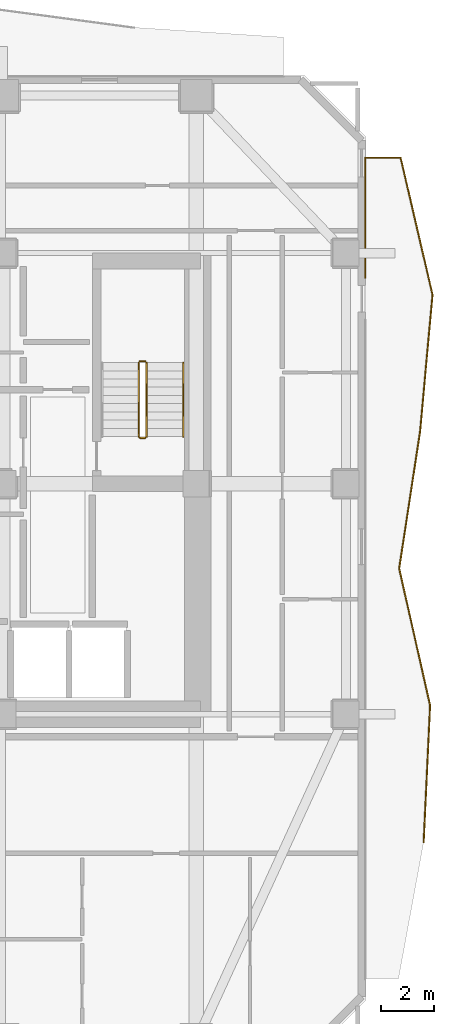
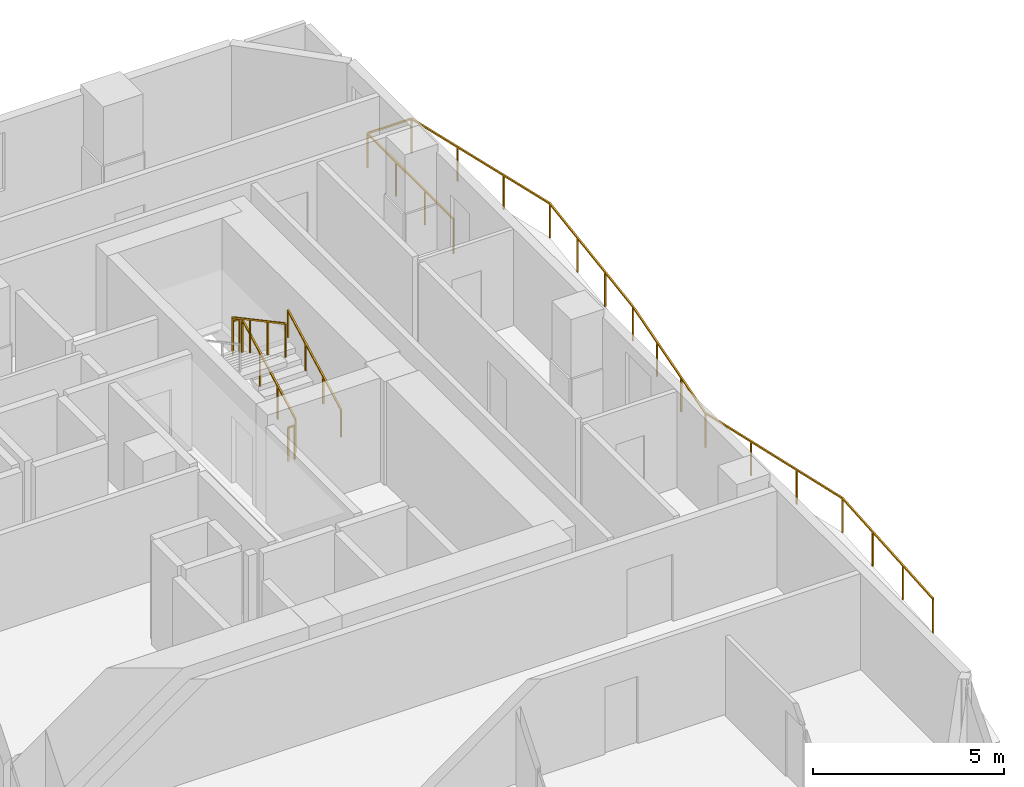
# One storey, part 10 of 11: 6 railings.
"""IFC4 building model written with IfcOpenShell, lengths in metres."""

from ifc_helpers import new_model, si_unit, direction, frame, origin, origin_2d, place, context, subcontext, project, spatial, rectangle, extrude, material, type_object, element, save


model = new_model("IFC4")

# Units and contexts
model_context = context("Model", 3, precision=1e-05, world=origin(), true_north=direction((0.0, 1.0)))
body_context = subcontext(model_context, "Body", "Model", "MODEL_VIEW")
ifc_project = project(units=[si_unit("LENGTHUNIT", "METRE"), si_unit("AREAUNIT", "SQUARE_METRE"), si_unit("VOLUMEUNIT", "CUBIC_METRE"), si_unit("PLANEANGLEUNIT", "RADIAN"), si_unit("MASSUNIT", "GRAM", prefix="KILO")], contexts=[model_context])

# Site, building, storey
site_placement = place(None, origin())
site = spatial("IfcSite", under=ifc_project, at=site_placement, CompositionType="ELEMENT")
building_placement = place(site_placement, origin())
building = spatial("IfcBuilding", under=site, at=building_placement, Name="Solanera Arch Residences", CompositionType="ELEMENT")
storey_placement = place(building_placement, frame((0.0, 0.0, 112.719970703125)))
storey = spatial("IfcBuildingStorey", under=building, at=storey_placement, Name="L32", CompositionType="ELEMENT", Elevation=112.719970703125)

# Railings
ifc_material_1 = material(Name="Steel S355 (ASTM A992 / A572 Grade 50)", Category="steel")
railing_type_1 = type_object("IfcRailingType", Name="Balustrade Railing BL-1100", PredefinedType="BALUSTRADE", material=ifc_material_1)
railing_1_placement = place(storey_placement, frame((45.0859375, 17.1669921875, 0.0)))
element("IfcRailing", 1, at=railing_1_placement, inside=storey, type_object=railing_type_1, Name="L32 E Balcony Balustrade 1", PredefinedType="BALUSTRADE", context=body_context, shape_type="SweptSolid", body=[
    extrude(rectangle(XDim=0.048095703125, YDim=0.048095703125, at=origin_2d()), frame((0.0, 0.0, 1.09619140625), z_axis=(0.047017886174, 0.998894047625, 0.0), x_axis=(-0.998894047625, 0.047017886174, 0.0)), (0.0, 0.0, 1.0), 5.171630859375),
    extrude(rectangle(XDim=0.048095703125, YDim=0.048095703125, at=origin_2d()), frame((0.2431640625, 5.166015625, 1.09619140625), z_axis=(-0.220306138957, 0.975430779265, 0.0), x_axis=(-0.975430779265, -0.220306138957, 0.0)), (0.0, 0.0, 1.0), 5.297119140625),
    extrude(rectangle(XDim=0.048095703125, YDim=0.048095703125, at=origin_2d()), frame((-0.923828125, 10.3330078125, 1.09619140625), z_axis=(0.150916360565, 0.988546535128, 0.0), x_axis=(-0.988546535128, 0.150916360565, 0.0)), (0.0, 0.0, 1.0), 5.226806640625),
    extrude(rectangle(XDim=0.048095703125, YDim=0.048095703125, at=origin_2d()), frame((-0.135009765625, 15.5, 1.09619140625), z_axis=(0.090412680839, 0.995904386547, 0.0), x_axis=(-0.995904386547, 0.090412680839, 0.0)), (0.0, 0.0, 1.0), 5.187255859375),
    extrude(rectangle(XDim=0.048095703125, YDim=0.048095703125, at=origin_2d()), frame((0.333984375, 20.666015625, 1.09619140625), z_axis=(-0.226912475326, 0.973915154693, 0.0), x_axis=(-0.973915154693, -0.226912475326, 0.0)), (0.0, 0.0, 1.0), 5.305419921875),
    extrude(rectangle(XDim=0.048095703125, YDim=0.048095703125, at=origin_2d()), frame((-0.869873046875, 25.8330078125, 1.09619140625), z_axis=(-1.0, 0.0, 0.0), x_axis=(0.0, -1.0, 0.0)), (0.0, 0.0, 1.0), 1.336181640625),
    extrude(rectangle(XDim=0.048095703125, YDim=0.048095703125, at=origin_2d()), frame((-2.2060546875, 25.8330078125, 1.09619140625), z_axis=(0.0, -1.0, 0.0), x_axis=(1.0, 0.0, 0.0)), (0.0, 0.0, 1.0), 4.52197265625),
    extrude(rectangle(XDim=0.0419921875, YDim=0.0419921875, at=origin_2d()), origin(), (0.0, 0.0, 1.0), 1.072021484375),
    extrude(rectangle(XDim=0.0419921875, YDim=0.0419921875, at=origin_2d()), frame((0.0810546875, 1.721923828125, 0.0)), (0.0, 0.0, 1.0), 1.072021484375),
    extrude(rectangle(XDim=0.0419921875, YDim=0.0419921875, at=origin_2d()), frame((0.162109375, 3.444091796875, 0.0)), (0.0, 0.0, 1.0), 1.072021484375),
    extrude(rectangle(XDim=0.0419921875, YDim=0.0419921875, at=origin_2d()), frame((0.2431640625, 5.166015625, 0.0)), (0.0, 0.0, 1.0), 1.072021484375),
    extrude(rectangle(XDim=0.0419921875, YDim=0.0419921875, at=origin_2d()), frame((-0.145751953125, 6.888427734375, 0.0)), (0.0, 0.0, 1.0), 1.072021484375),
    extrude(rectangle(XDim=0.0419921875, YDim=0.0419921875, at=origin_2d()), frame((-0.534912109375, 8.610595703125, 0.0)), (0.0, 0.0, 1.0), 1.072021484375),
    extrude(rectangle(XDim=0.0419921875, YDim=0.0419921875, at=origin_2d()), frame((-0.923828125, 10.3330078125, 0.0)), (0.0, 0.0, 1.0), 1.072021484375),
    extrude(rectangle(XDim=0.0419921875, YDim=0.0419921875, at=origin_2d()), frame((-0.660888671875, 12.055419921875, 0.0)), (0.0, 0.0, 1.0), 1.072021484375),
    extrude(rectangle(XDim=0.0419921875, YDim=0.0419921875, at=origin_2d()), frame((-0.39794921875, 13.777587890625, 0.0)), (0.0, 0.0, 1.0), 1.072021484375),
    extrude(rectangle(XDim=0.0419921875, YDim=0.0419921875, at=origin_2d()), frame((-0.135009765625, 15.5, 0.0)), (0.0, 0.0, 1.0), 1.072021484375),
    extrude(rectangle(XDim=0.0419921875, YDim=0.0419921875, at=origin_2d()), frame((0.021240234375, 17.221923828125, 0.0)), (0.0, 0.0, 1.0), 1.072021484375),
    extrude(rectangle(XDim=0.0419921875, YDim=0.0419921875, at=origin_2d()), frame((0.177734375, 18.944091796875, 0.0)), (0.0, 0.0, 1.0), 1.072021484375),
    extrude(rectangle(XDim=0.0419921875, YDim=0.0419921875, at=origin_2d()), frame((0.333984375, 20.666015625, 0.0)), (0.0, 0.0, 1.0), 1.072021484375),
    extrude(rectangle(XDim=0.0419921875, YDim=0.0419921875, at=origin_2d()), frame((-0.0673828125, 22.388427734375, 0.0)), (0.0, 0.0, 1.0), 1.072021484375),
    extrude(rectangle(XDim=0.0419921875, YDim=0.0419921875, at=origin_2d()), frame((-0.468505859375, 24.110595703125, 0.0)), (0.0, 0.0, 1.0), 1.072021484375),
    extrude(rectangle(XDim=0.0419921875, YDim=0.0419921875, at=origin_2d()), frame((-0.869873046875, 25.8330078125, 0.0)), (0.0, 0.0, 1.0), 1.072021484375),
    extrude(rectangle(XDim=0.0419921875, YDim=0.0419921875, at=origin_2d()), frame((-2.2060546875, 25.8330078125, 0.0)), (0.0, 0.0, 1.0), 1.072021484375),
    extrude(rectangle(XDim=0.0419921875, YDim=0.0419921875, at=origin_2d()), frame((-2.2060546875, 24.32568359375, 0.0)), (0.0, 0.0, 1.0), 1.072021484375),
    extrude(rectangle(XDim=0.0419921875, YDim=0.0419921875, at=origin_2d()), frame((-2.2060546875, 22.818359375, 0.0)), (0.0, 0.0, 1.0), 1.072021484375),
    extrude(rectangle(XDim=0.0419921875, YDim=0.0419921875, at=origin_2d()), frame((-2.2060546875, 21.31103515625, 0.0)), (0.0, 0.0, 1.0), 1.072021484375),
])
ifc_material_2 = material(Name="Steel S355 (ASTM A992 / A572 Grade 50)", Category="steel")
railing_type_2 = type_object("IfcRailingType", Name="Stair Guardrail GR-1100", PredefinedType="GUARDRAIL", material=ifc_material_2)
railing_2_placement = place(storey_placement, frame((34.6298828125, 32.47998046875, 0.151123046875)))
element("IfcRailing", 2, at=railing_2_placement, inside=storey, type_object=railing_type_2, Name="L32 ST-T2 stair guard 1", PredefinedType="GUARDRAIL", context=body_context, shape_type="SweptSolid", body=[
    extrude(rectangle(XDim=0.048095703125, YDim=0.048095703125, at=origin_2d()), frame((0.0, 0.0, 1.076171875), z_axis=(0.0, 0.881580869306, 0.472033018838), x_axis=(-1.0, 0.0, 0.0)), (0.0, 0.0, 1.0), 3.164794921875),
    extrude(rectangle(XDim=0.0419921875, YDim=0.0419921875, at=origin_2d()), origin(), (0.0, 0.0, 1.0), 1.052001953125),
    extrude(rectangle(XDim=0.0419921875, YDim=0.0419921875, at=origin_2d()), frame((0.0, 0.929931640625, 0.498046875)), (0.0, 0.0, 1.0), 1.052001953125),
    extrude(rectangle(XDim=0.0419921875, YDim=0.0419921875, at=origin_2d()), frame((0.0, 1.860107421875, 0.995849609375)), (0.0, 0.0, 1.0), 1.052001953125),
    extrude(rectangle(XDim=0.0419921875, YDim=0.0419921875, at=origin_2d()), frame((0.0, 2.7900390625, 1.493896484375)), (0.0, 0.0, 1.0), 1.052001953125),
])
railing_3_placement = place(storey_placement, frame((34.580078125, 35.320068359375, 1.64501953125)))
element("IfcRailing", 3, at=railing_3_placement, inside=storey, type_object=railing_type_2, Name="L32 ST-T2 stair guard 2", PredefinedType="GUARDRAIL", context=body_context, shape_type="SweptSolid", body=[
    extrude(rectangle(XDim=0.048095703125, YDim=0.048095703125, at=origin_2d()), frame((0.0, 0.0, 1.076171875), z_axis=(-1.0, 0.0, 0.0), x_axis=(0.0, -1.0, 0.0)), (0.0, 0.0, 1.0), 0.2001953125),
    extrude(rectangle(XDim=0.0419921875, YDim=0.0419921875, at=origin_2d()), origin(), (0.0, 0.0, 1.0), 1.052001953125),
    extrude(rectangle(XDim=0.0419921875, YDim=0.0419921875, at=origin_2d()), frame((-0.2001953125, 0.0, 0.0)), (0.0, 0.0, 1.0), 1.052001953125),
])
railing_4_placement = place(storey_placement, frame((34.330078125, 35.27001953125, 1.81103515625)))
element("IfcRailing", 4, at=railing_4_placement, inside=storey, type_object=railing_type_2, Name="L32 ST-T2 stair guard 3", PredefinedType="GUARDRAIL", context=body_context, shape_type="SweptSolid", body=[
    extrude(rectangle(XDim=0.048095703125, YDim=0.048095703125, at=origin_2d()), frame((0.0, 0.0, 1.076171875), z_axis=(0.0, -0.881580869306, 0.472033018838), x_axis=(1.0, 0.0, 0.0)), (0.0, 0.0, 1.0), 3.164794921875),
    extrude(rectangle(XDim=0.0419921875, YDim=0.0419921875, at=origin_2d()), origin(), (0.0, 0.0, 1.0), 1.052001953125),
    extrude(rectangle(XDim=0.0419921875, YDim=0.0419921875, at=origin_2d()), frame((0.0, -0.929931640625, 0.498046875)), (0.0, 0.0, 1.0), 1.052001953125),
    extrude(rectangle(XDim=0.0419921875, YDim=0.0419921875, at=origin_2d()), frame((0.0, -1.860107421875, 0.995849609375)), (0.0, 0.0, 1.0), 1.052001953125),
    extrude(rectangle(XDim=0.0419921875, YDim=0.0419921875, at=origin_2d()), frame((0.0, -2.7900390625, 1.493896484375)), (0.0, 0.0, 1.0), 1.052001953125),
])
railing_5_placement = place(storey_placement, frame((34.580078125, 32.429931640625, -0.014892578125)))
element("IfcRailing", 5, at=railing_5_placement, inside=storey, type_object=railing_type_2, Name="L32 ST-T2 stair guard 4", PredefinedType="GUARDRAIL", context=body_context, shape_type="SweptSolid", body=[
    extrude(rectangle(XDim=0.048095703125, YDim=0.048095703125, at=origin_2d()), frame((0.0, 0.0, 1.076171875), z_axis=(-1.0, 0.0, 0.0), x_axis=(0.0, -1.0, 0.0)), (0.0, 0.0, 1.0), 0.2001953125),
    extrude(rectangle(XDim=0.0419921875, YDim=0.0419921875, at=origin_2d()), origin(), (0.0, 0.0, 1.0), 1.052001953125),
    extrude(rectangle(XDim=0.0419921875, YDim=0.0419921875, at=origin_2d()), frame((-0.2001953125, 0.0, 0.0)), (0.0, 0.0, 1.0), 1.052001953125),
])
ifc_material_3 = material(Name="Steel S355 (ASTM A992 / A572 Grade 50)", Category="steel")
railing_type_3 = type_object("IfcRailingType", Name="Stair Wall Handrail HR-920", PredefinedType="HANDRAIL", material=ifc_material_3)
railing_6_placement = place(storey_placement, frame((36.010009765625, 32.47998046875, 0.166015625)))
element("IfcRailing", 6, at=railing_6_placement, inside=storey, type_object=railing_type_3, Name="L32 ST-T2 stair handrail 1", PredefinedType="HANDRAIL", context=body_context, shape_type="SweptSolid", body=[
    extrude(rectangle(XDim=0.048095703125, YDim=0.048095703125, at=origin_2d()), frame((0.0, 0.0, 0.8759765625), z_axis=(0.0, 0.881580869306, 0.472033018838), x_axis=(-1.0, 0.0, 0.0)), (0.0, 0.0, 1.0), 3.164794921875),
    extrude(rectangle(XDim=0.0419921875, YDim=0.0419921875, at=origin_2d()), origin(), (0.0, 0.0, 1.0), 0.851806640625),
    extrude(rectangle(XDim=0.0419921875, YDim=0.0419921875, at=origin_2d()), frame((0.0, 0.929931640625, 0.498046875)), (0.0, 0.0, 1.0), 0.851806640625),
    extrude(rectangle(XDim=0.0419921875, YDim=0.0419921875, at=origin_2d()), frame((0.0, 1.860107421875, 0.995849609375)), (0.0, 0.0, 1.0), 0.851806640625),
    extrude(rectangle(XDim=0.0419921875, YDim=0.0419921875, at=origin_2d()), frame((0.0, 2.7900390625, 1.493896484375)), (0.0, 0.0, 1.0), 0.851806640625),
])

save(model, "model.ifc")
